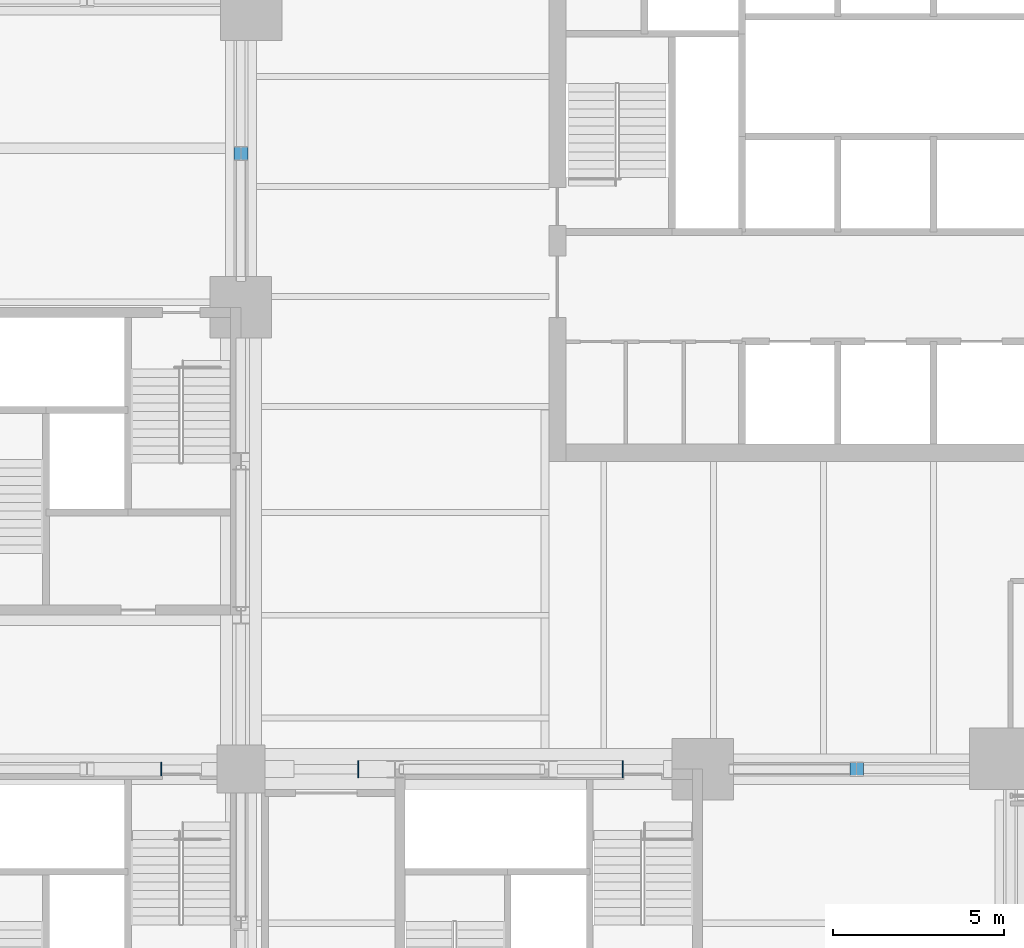
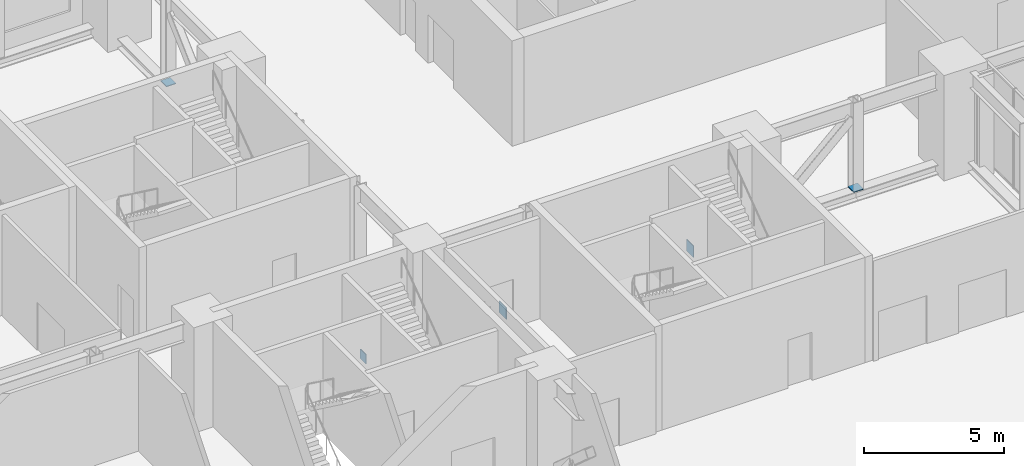
# One storey, part 19 of 21: 5 discrete accessories.
"""IFC4 building model written with IfcOpenShell, lengths in metres."""

import ifcopenshell
import ifcopenshell.guid

model = None  # the IFC model being written
_history = None  # IfcOwnerHistory: only IFC2X3 demands one
_inside = {}  # id of a spatial element -> (the spatial element, [elements in it])
_under = {}  # id of a project, library or spatial element -> (it, [spatial elements below it])
_declared = {}  # id of a project -> (the project, [libraries it declares])
_typed = {}  # id of a type object -> (the type object, [elements of that type])
_made_of = {}  # id of a material, layer set ... -> (it, [elements and type objects made of it])


def new_model(schema):
    """Start an empty IFC model of exactly this schema.

    Asked for "IFC4X3", IfcOpenShell would pick the latest addendum, in which some entities
    have other attributes; the version numbers below select the first issue.
    IFC2X3 requires an IfcOwnerHistory on every rooted entity: one is made here for all.
    """
    global model, _history
    if schema == "IFC4X3":
        model = ifcopenshell.file(schema_version=(4, 3, 0, 0))
    else:
        model = ifcopenshell.file(schema=schema)
    _inside.clear()
    _under.clear()
    _declared.clear()
    _typed.clear()
    _made_of.clear()
    _history = None
    if model.schema == "IFC2X3":
        org = make("IfcOrganization", Name="unknown")
        user = make(
            "IfcPersonAndOrganization",
            ThePerson=make("IfcPerson", FamilyName="unknown"),
            TheOrganization=org,
        )
        app = make(
            "IfcApplication",
            ApplicationDeveloper=org,
            Version="unknown",
            ApplicationFullName="unknown",
            ApplicationIdentifier="unknown",
        )
        _history = make(
            "IfcOwnerHistory",
            OwningUser=user,
            OwningApplication=app,
            ChangeAction="ADDED",
            CreationDate=0,
        )
    return model


def make(cls, **values):
    """One entity of the class cls with the attributes given. An attribute that is None is left unset."""
    return model.create_entity(
        cls, **{name: value for name, value in values.items() if value is not None}
    )


def rooted(cls, **values):
    """An entity with a GlobalId (a new one), such as an element, a storey or a relation."""
    return make(cls, GlobalId=ifcopenshell.guid.new(), OwnerHistory=_history, **values)


def si_unit(unit_type, name, prefix=None):
    """IfcSIUnit, for example si_unit("LENGTHUNIT", "METRE", prefix="MILLI")."""
    return make("IfcSIUnit", UnitType=unit_type, Prefix=prefix, Name=name)


def assignment(units):
    """IfcUnitAssignment: the units of a project."""
    return None if units is None else make("IfcUnitAssignment", Units=units)


def point(xyz):
    """IfcCartesianPoint."""
    return None if xyz is None else make("IfcCartesianPoint", Coordinates=xyz)


def direction(xyz):
    """IfcDirection."""
    return None if xyz is None else make("IfcDirection", DirectionRatios=xyz)


def frame(location, z_axis=None, x_axis=None):
    """IfcAxis2Placement3D, a coordinate frame: its origin and axes. An axis left out is left unset."""
    return make(
        "IfcAxis2Placement3D",
        Location=point(location),
        Axis=direction(z_axis),
        RefDirection=direction(x_axis),
    )


def frame_2d(location, x_axis=None):
    """IfcAxis2Placement2D, a coordinate frame in the plane: its origin and x axis."""
    return make(
        "IfcAxis2Placement2D", Location=point(location), RefDirection=direction(x_axis)
    )


def origin():
    """The frame at (0, 0, 0) with its axes left unset."""
    return frame((0.0, 0.0, 0.0))


def origin_2d():
    """The frame at (0, 0) in the plane with its x axis left unset."""
    return frame_2d((0.0, 0.0))


def place(relative_to, where):
    """IfcLocalPlacement: puts the frame where relative to a parent placement (None: the world)."""
    return make(
        "IfcLocalPlacement", PlacementRelTo=relative_to, RelativePlacement=where
    )


def context(
    kind, dimensions, precision=None, world=None, true_north=None, identifier=None
):
    """IfcGeometricRepresentationContext, for example the 3D "Model" context."""
    return make(
        "IfcGeometricRepresentationContext",
        ContextIdentifier=identifier,
        ContextType=kind,
        CoordinateSpaceDimension=dimensions,
        Precision=precision,
        WorldCoordinateSystem=world,
        TrueNorth=true_north,
    )


def subcontext(parent, identifier, kind, view, scale=None):
    """IfcGeometricRepresentationSubContext, for example "Body" below "Model"."""
    return make(
        "IfcGeometricRepresentationSubContext",
        ContextIdentifier=identifier,
        ContextType=kind,
        ParentContext=parent,
        TargetScale=scale,
        TargetView=view,
    )


def project(units=None, contexts=None):
    """IfcProject with its units and contexts."""
    return rooted(
        "IfcProject",
        Name="project",
        RepresentationContexts=contexts,
        UnitsInContext=assignment(units),
    )


def spatial(cls, under=None, at=None, **own):
    """A site, building, storey or space (cls), placed at a placement, below another one or the project."""
    s = rooted(cls, ObjectPlacement=at, **own)
    if under is not None:
        _under.setdefault(under.id(), (under, []))[1].append(s)
    return s


def profile(cls, at=None, kind="AREA", **sizes):
    """A parametric profile (cls). Its sizes go by their IFC names, for example OverallWidth=200.0."""
    return make(cls, ProfileType=kind, Position=at, **sizes)


def rectangle(**sizes):
    """IfcRectangleProfileDef."""
    return profile("IfcRectangleProfileDef", **sizes)


def extrude(swept, where, along, depth):
    """IfcExtrudedAreaSolid: the profile swept, set in the frame where, extruded along a direction by depth."""
    return make(
        "IfcExtrudedAreaSolid",
        SweptArea=swept,
        Position=where,
        ExtrudedDirection=direction(along),
        Depth=depth,
    )


def shape(context_of_items, identifier, shape_type, items):
    """IfcShapeRepresentation: the items that make up one representation, for example the "Body"."""
    return make(
        "IfcShapeRepresentation",
        ContextOfItems=context_of_items,
        RepresentationIdentifier=identifier,
        RepresentationType=shape_type,
        Items=items,
    )


def material(Name=None, Category=None):
    """IfcMaterial."""
    return make("IfcMaterial", Name=Name, Category=Category)


def made_of(thing, what):
    """Note that an element or type object is made of a material, layer set ...; save() writes the relation."""
    if what is not None:
        _made_of.setdefault(what.id(), (what, []))[1].append(thing)
    return thing


def element(
    cls,
    number,
    at=None,
    inside=None,
    cuts=None,
    type_object=None,
    material=None,
    context=None,
    identifier="Body",
    shape_type=None,
    held_by="IfcProductDefinitionShape",
    body=None,
    shapes=None,
    **own,
):
    """One element of the class cls, such as IfcWall. Its Tag is "e" and its number.

    at: its placement. inside: the storey or other place that contains it. cuts: it is an
    opening in that element (IfcRelVoidsElement). A single representation is given by context,
    identifier, shape_type and body (its items); several are given by shapes. held_by: the class
    of the entity that holds the representations. save() writes the other relations.
    """
    e = rooted(cls, Tag="e%d" % number, ObjectPlacement=at, **own)
    if body is not None:
        shapes = [shape(context, identifier, shape_type, body)]
    if shapes is not None:
        e.Representation = make(held_by, Representations=shapes)
    if inside is not None:
        _inside.setdefault(inside.id(), (inside, []))[1].append(e)
    if cuts is not None:
        rooted(
            "IfcRelVoidsElement", RelatingBuildingElement=cuts, RelatedOpeningElement=e
        )
    if type_object is not None:
        _typed.setdefault(type_object.id(), (type_object, []))[1].append(e)
    return made_of(e, material)


def aggregate(whole, parts):
    """IfcRelAggregates: a whole, such as a stair, and the parts it consists of."""
    return rooted("IfcRelAggregates", RelatingObject=whole, RelatedObjects=parts)


def save(model, path):
    """Write the relations noted so far, then the file.

    IfcRelAggregates (storeys below a building ...), IfcRelContainedInSpatialStructure (elements
    in a storey), IfcRelDefinesByType, IfcRelAssociatesMaterial and IfcRelDeclares: one each for
    every whole, place, type object, material and project.
    """
    for whole, parts in _under.values():
        aggregate(whole, parts)
    for where, things in _inside.values():
        rooted(
            "IfcRelContainedInSpatialStructure",
            RelatedElements=things,
            RelatingStructure=where,
        )
    for kind, things in _typed.values():
        rooted("IfcRelDefinesByType", RelatedObjects=things, RelatingType=kind)
    for what, things in _made_of.values():
        rooted("IfcRelAssociatesMaterial", RelatedObjects=things, RelatingMaterial=what)
    for by, libraries in _declared.values():
        rooted("IfcRelDeclares", RelatingContext=by, RelatedDefinitions=libraries)
    model.write(path)


model = new_model("IFC4")

# Units and contexts
model_context = context("Model", 3, precision=1e-05, world=origin(), true_north=direction((0.0, 1.0)))
body_context = subcontext(model_context, "Body", "Model", "MODEL_VIEW")
ifc_project = project(units=[si_unit("LENGTHUNIT", "METRE"), si_unit("AREAUNIT", "SQUARE_METRE"), si_unit("VOLUMEUNIT", "CUBIC_METRE"), si_unit("PLANEANGLEUNIT", "RADIAN"), si_unit("MASSUNIT", "GRAM", prefix="KILO")], contexts=[model_context])

# Site, building, storey
site_placement = place(None, origin())
site = spatial("IfcSite", under=ifc_project, at=site_placement, CompositionType="ELEMENT")
building_placement = place(site_placement, origin())
building = spatial("IfcBuilding", under=site, at=building_placement, Name="Quoin Convention Tower", CompositionType="ELEMENT")
storey_placement = place(building_placement, frame((0.0, 0.0, 18.5)))
storey = spatial("IfcBuildingStorey", under=building, at=storey_placement, Name="L03", CompositionType="ELEMENT", Elevation=18.5)

# Discrete accessories
ifc_material = material(Name="Steel Grade 350", Category="steel")
for number, where, z_axis, x_axis, name in (
    (1, (54.0, 40.5, 0.48388671875), (0.0, 0.0, 1.0), (1.0, 0.0, 0.0), "TRUSS END PLATE TRS-L03-PS-54000_40500 A"),
    (2, (36.0, 58.5, 0.48388671875), (0.0, 0.0, 1.0), (1.0, 0.0, 0.0), "TRUSS END PLATE TRS-L03-PS-36000_58500 A"),
):
    element("IfcDiscreteAccessory", number, at=place(storey_placement, frame(where, z_axis=z_axis, x_axis=x_axis)), inside=storey, material=ifc_material, Name=name, ObjectType="Truss end plate", PredefinedType="USERDEFINED", context=body_context, shape_type="SweptSolid", body=[
        extrude(rectangle(XDim=0.39990234375, YDim=0.422119140625, at=origin_2d()), origin(), (0.0, 0.0, 1.0), 0.030029296875),
    ])
for number, where, z_axis, x_axis, name in (
    (3, (39.43505859375, 40.5, 0.0), (0.0, 0.0, 1.0), (-1.0, 0.0, 0.0), "TRUSS END PLATE TRS-L03-BC-36000_40500-40500_40500-B A"),
    (4, (47.1650390625, 40.5, 0.0), (0.0, 0.0, 1.0), (1.0, 0.0, 0.0), "TRUSS END PLATE TRS-L03-BC-45000_40500-49500_40500-A B"),
):
    element("IfcDiscreteAccessory", number, at=place(storey_placement, frame(where, z_axis=z_axis, x_axis=x_axis)), inside=storey, material=ifc_material, Name=name, ObjectType="Truss end plate", PredefinedType="USERDEFINED", context=body_context, shape_type="SweptSolid", body=[
        extrude(rectangle(XDim=0.030029296875, YDim=0.5, at=origin_2d()), origin(), (0.0, 0.0, 1.0), 0.513916015625),
    ])
discrete_accessory_placement = place(storey_placement, frame((33.6650390625, 40.5, 0.0458984375), z_axis=(0.0, 0.0, 1.0), x_axis=(1.0, 0.0, 0.0)))
element("IfcDiscreteAccessory", 5, at=discrete_accessory_placement, inside=storey, material=ifc_material, Name="TRUSS END PLATE TRS-L03-BC-31500_40500-36000_40500-A B", ObjectType="Truss end plate", PredefinedType="USERDEFINED", context=body_context, shape_type="SweptSolid", body=[
    extrude(rectangle(XDim=0.030029296875, YDim=0.39990234375, at=origin_2d()), origin(), (0.0, 0.0, 1.0), 0.422119140625),
])

save(model, "model.ifc")
